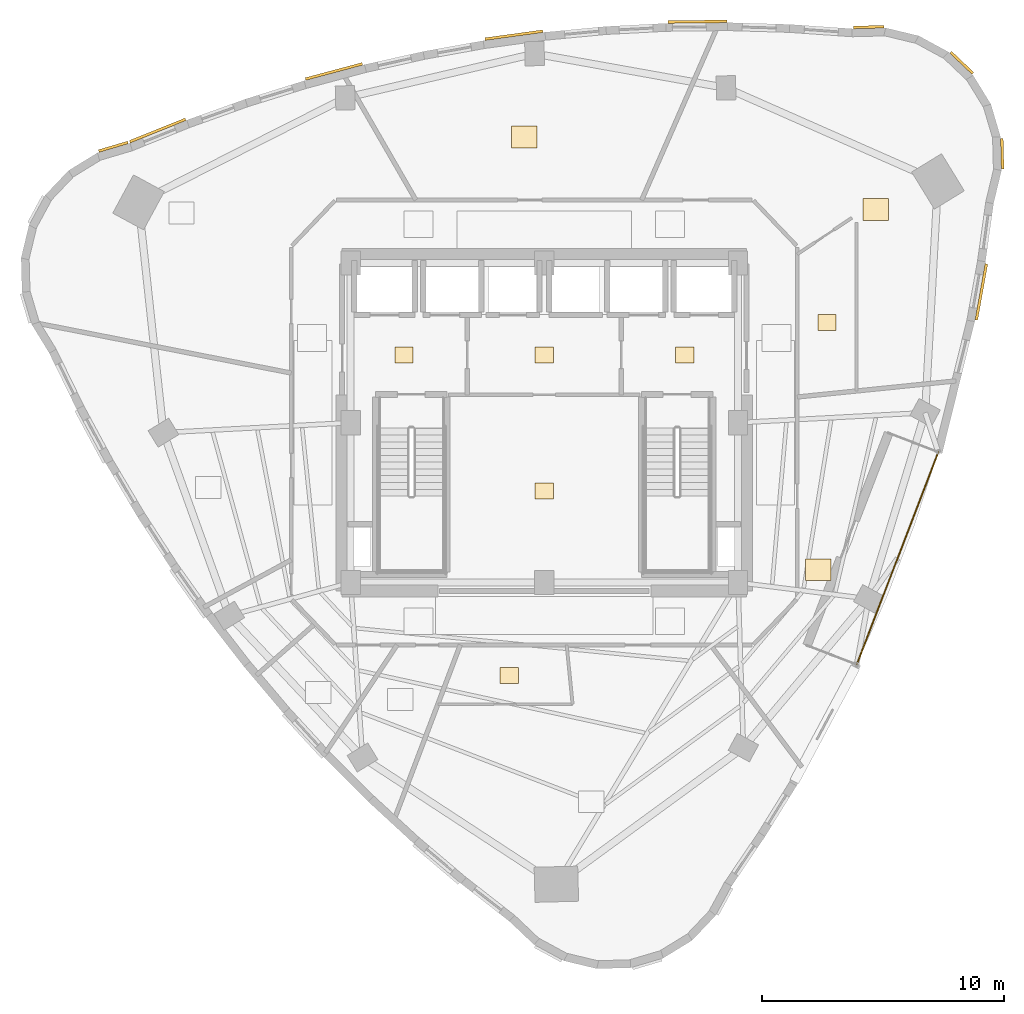
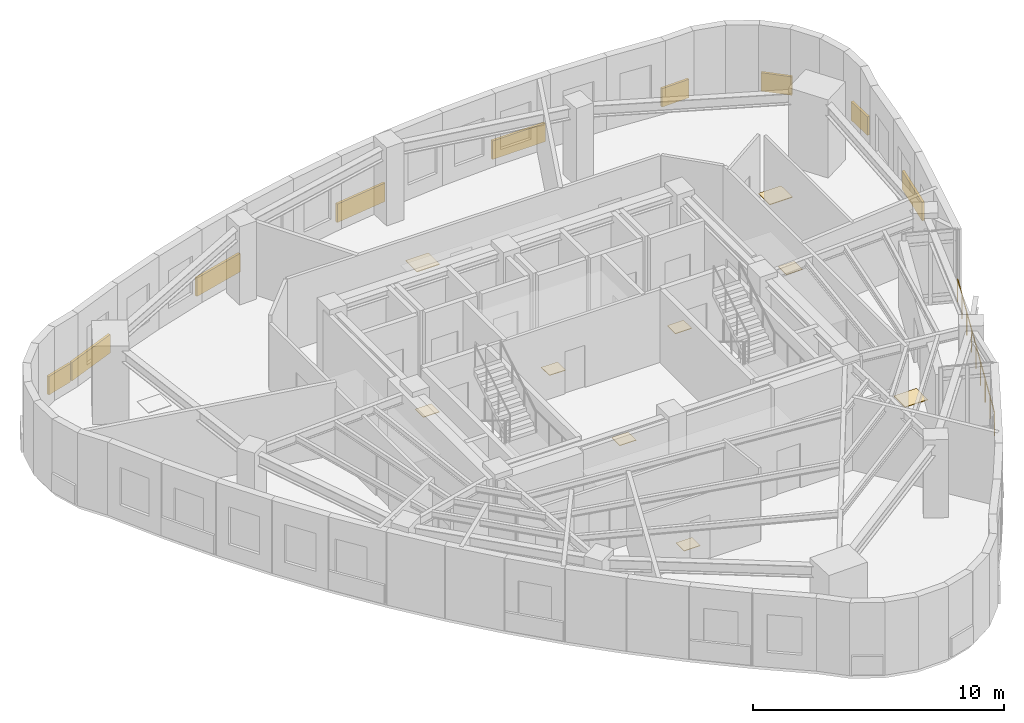
# One storey, part 10 of 10: 18 coverings, 1 railing.
"""IFC4 building model written with IfcOpenShell, lengths in metres."""

from ifc_helpers import new_model, si_unit, direction, frame, origin, origin_2d, place, context, subcontext, project, spatial, rectangle, circle, extrude, material, layer, layer_set, type_object, element, save


model = new_model("IFC4")

# Units and contexts
model_context = context("Model", 3, precision=1e-05, world=origin(), true_north=direction((0.0, 1.0)))
body_context = subcontext(model_context, "Body", "Model", "MODEL_VIEW")
ifc_project = project(units=[si_unit("LENGTHUNIT", "METRE"), si_unit("AREAUNIT", "SQUARE_METRE"), si_unit("VOLUMEUNIT", "CUBIC_METRE"), si_unit("PLANEANGLEUNIT", "RADIAN"), si_unit("MASSUNIT", "GRAM", prefix="KILO")], contexts=[model_context])

# Site, building, storey
site_placement = place(None, origin())
site = spatial("IfcSite", under=ifc_project, at=site_placement, CompositionType="ELEMENT")
building_placement = place(site_placement, origin())
building = spatial("IfcBuilding", under=site, at=building_placement, Name="Ndelora Gate Hotel", CompositionType="ELEMENT")
storey_placement = place(building_placement, frame((0.0, 0.0, 239.75)))
storey = spatial("IfcBuildingStorey", under=building, at=storey_placement, Name="L60", CompositionType="ELEMENT", Elevation=239.75)

# Coverings
ifc_material_1 = material(Name="Terracotta Fired Clay Brick Slip Cladding", Category="masonry")
ifc_layer_1 = layer(ifc_material_1, 0.110107421875)
ifc_layer_set_1 = layer_set([ifc_layer_1], Name="Terracotta Fired Clay Brick Slip Cladding")
covering_type_1 = type_object("IfcCoveringType", Name="COV-CLAD-BRK", PredefinedType="CLADDING", material=ifc_layer_set_1)
covering_1_placement = place(storey_placement, frame((-17.797119140625, 11.3984375, 0.10009765625), z_axis=(0.0, 0.0, 1.0), x_axis=(0.958819734868, 0.284015344704, 0.0)))
element("IfcCovering", 1, at=covering_1_placement, inside=storey, type_object=covering_type_1, Name="L60 Rounded-Corner Brick Cladding Band 1", PredefinedType="CLADDING", context=body_context, shape_type="SweptSolid", body=[
    extrude(rectangle(XDim=1.257080078125, YDim=0.110107421875, at=origin_2d()), origin(), (0.0, 0.0, 1.0), 0.89990234375),
])
covering_2_placement = place(storey_placement, frame((18.0537109375, 5.40087890625, 0.10009765625), z_axis=(0.0, 0.0, 1.0), x_axis=(0.176569392453, 0.984288194407, 0.0)))
element("IfcCovering", 2, at=covering_2_placement, inside=storey, type_object=covering_type_1, Name="L60 Rounded-Corner Brick Cladding Band 37", PredefinedType="CLADDING", context=body_context, shape_type="SweptSolid", body=[
    extrude(rectangle(XDim=2.35888671875, YDim=0.110107421875, at=origin_2d()), origin(), (0.0, 0.0, 1.0), 0.89990234375),
])
covering_3_placement = place(storey_placement, frame((18.91650390625, 11.108642578125, 0.10009765625), z_axis=(0.0, 0.0, 1.0), x_axis=(-0.026176948308, 0.999657324976, 0.0)))
element("IfcCovering", 3, at=covering_3_placement, inside=storey, type_object=covering_type_1, Name="L60 Rounded-Corner Brick Cladding Band 40", PredefinedType="CLADDING", context=body_context, shape_type="SweptSolid", body=[
    extrude(rectangle(XDim=1.257080078125, YDim=0.110107421875, at=origin_2d()), origin(), (0.0, 0.0, 1.0), 0.89990234375),
])
covering_4_placement = place(storey_placement, frame((17.24365234375, 14.8662109375, 0.10009765625), z_axis=(0.0, 0.0, 1.0), x_axis=(-0.725374371012, 0.688354575694, 0.0)))
element("IfcCovering", 4, at=covering_4_placement, inside=storey, type_object=covering_type_1, Name="L60 Rounded-Corner Brick Cladding Band 43", PredefinedType="CLADDING", context=body_context, shape_type="SweptSolid", body=[
    extrude(rectangle(XDim=1.258056640625, YDim=0.110107421875, at=origin_2d()), origin(), (0.0, 0.0, 1.0), 0.89990234375),
])
covering_5_placement = place(storey_placement, frame((13.40380859375, 16.340087890625, 0.10009765625), z_axis=(0.0, 0.0, 1.0), x_axis=(0.999657324976, 0.026176948308, 0.0)))
element("IfcCovering", 5, at=covering_5_placement, inside=storey, type_object=covering_type_1, Name="L60 Rounded-Corner Brick Cladding Band 46", PredefinedType="CLADDING", context=body_context, shape_type="SweptSolid", body=[
    extrude(rectangle(XDim=1.257080078125, YDim=0.110107421875, at=origin_2d()), origin(), (0.0, 0.0, 1.0), 0.89990234375),
])
covering_6_placement = place(storey_placement, frame((6.322998046875, 16.563720703125, 0.10009765625), z_axis=(0.0, 0.0, 1.0), x_axis=(0.999937615001, 0.011169874929, 0.0)))
element("IfcCovering", 6, at=covering_6_placement, inside=storey, type_object=covering_type_1, Name="L60 Rounded-Corner Brick Cladding Band 49", PredefinedType="CLADDING", context=body_context, shape_type="SweptSolid", body=[
    extrude(rectangle(XDim=2.443115234375, YDim=0.110107421875, at=origin_2d()), origin(), (0.0, 0.0, 1.0), 0.89990234375),
])
covering_7_placement = place(storey_placement, frame((-1.257080078125, 16.006591796875, 0.10009765625), z_axis=(0.0, 0.0, 1.0), x_axis=(0.990747840471, 0.135715572434, 0.0)))
element("IfcCovering", 7, at=covering_7_placement, inside=storey, type_object=covering_type_1, Name="L60 Rounded-Corner Brick Cladding Band 52", PredefinedType="CLADDING", context=body_context, shape_type="SweptSolid", body=[
    extrude(rectangle(XDim=2.416015625, YDim=0.110107421875, at=origin_2d()), origin(), (0.0, 0.0, 1.0), 0.89990234375),
])
covering_8_placement = place(storey_placement, frame((-8.688232421875, 14.5078125, 0.10009765625), z_axis=(0.0, 0.0, 1.0), x_axis=(0.965970984022, 0.258650455301, 0.0)))
element("IfcCovering", 8, at=covering_8_placement, inside=storey, type_object=covering_type_1, Name="L60 Rounded-Corner Brick Cladding Band 55", PredefinedType="CLADDING", context=body_context, shape_type="SweptSolid", body=[
    extrude(rectangle(XDim=2.428955078125, YDim=0.110107421875, at=origin_2d()), origin(), (0.0, 0.0, 1.0), 0.89990234375),
])
covering_9_placement = place(storey_placement, frame((-15.968994140625, 12.067626953125, 0.10009765625), z_axis=(0.0, 0.0, 1.0), x_axis=(0.927249221629, 0.374444763601, 0.0)))
element("IfcCovering", 9, at=covering_9_placement, inside=storey, type_object=covering_type_1, Name="L60 Rounded-Corner Brick Cladding Band 58", PredefinedType="CLADDING", context=body_context, shape_type="SweptSolid", body=[
    extrude(rectangle(XDim=2.48193359375, YDim=0.110107421875, at=origin_2d()), origin(), (0.0, 0.0, 1.0), 0.89990234375),
])
ifc_material_2 = material(Name="Engineered Highland Oak Parquet", Category="wood")
ifc_layer_2 = layer(ifc_material_2, 0.030029296875)
ifc_layer_set_2 = layer_set([ifc_layer_2], Name="Engineered Highland Oak Parquet")
covering_type_2 = type_object("IfcCoveringType", Name="COV-FLR-PARQ", PredefinedType="FLOORING", material=ifc_layer_set_2)
for number, where, z_axis, x_axis, name in (
    (10, (11.322021484375, -6.072265625, 0.0), (0.0, 0.0, 1.0), (1.0, 0.0, 0.0), "L60 Sky Garden Tea Dining Room Oak Parquet Flooring"),
    (11, (13.683349609375, 8.806884765625, 0.0), (0.0, 0.0, 1.0), (1.0, 0.0, 0.0), "L60 Corner Diplomatic Two-Bay Suite 6302 Oak Parquet Flooring"),
    (12, (-0.82080078125, 11.80078125, 0.0), (0.0, 0.0, 1.0), (1.0, 0.0, 0.0), "L60 Private Collectors Art Library Oak Parquet Flooring"),
):
    element("IfcCovering", number, at=place(storey_placement, frame(where, z_axis=z_axis, x_axis=x_axis)), inside=storey, type_object=covering_type_2, Name=name, PredefinedType="FLOORING", context=body_context, shape_type="SweptSolid", body=[
        extrude(rectangle(XDim=1.050048828125, YDim=0.89990234375, at=origin_2d()), origin(), (0.0, 0.0, 1.0), 0.030029296875),
    ])
ifc_material_3 = material(Name="Non-Slip Porcelain Wet-Room Tile", Category="ceramic")
ifc_layer_3 = layer(ifc_material_3, 0.02490234375)
ifc_layer_set_3 = layer_set([ifc_layer_3], Name="Non-Slip Porcelain Wet-Room Tile")
covering_type_3 = type_object("IfcCoveringType", Name="COV-FLR-TILE", PredefinedType="FLOORING", material=ifc_layer_set_3)
for number, where, z_axis, x_axis, name in (
    (13, (-5.800048828125, 2.800048828125, 0.0), (0.0, 0.0, 1.0), (1.0, 0.0, 0.0), "L60 Firefighting Lift Lobby West Porcelain Tile Flooring"),
    (14, (5.800048828125, 2.800048828125, 0.0), (0.0, 0.0, 1.0), (1.0, 0.0, 0.0), "L60 Firefighting Lift Lobby East Porcelain Tile Flooring"),
    (15, (0.0, 2.800048828125, 0.0), (0.0, 0.0, 1.0), (1.0, 0.0, 0.0), "L60 Central Passenger Lift Lobby Porcelain Tile Flooring"),
    (16, (0.0, -2.824951171875, 0.0), (0.0, 0.0, 1.0), (1.0, 0.0, 0.0), "L60 Core Electrical and Linen Service Store Porcelain Tile Flooring"),
    (17, (-1.447998046875, -10.4462890625, 0.0), (0.0, 0.0, 1.0), (1.0, 0.0, 0.0), "L60 En-suite Bathroom 6301 Porcelain Tile Flooring"),
    (18, (11.675048828125, 4.14208984375, 0.0), (0.0, 0.0, 1.0), (1.0, 0.0, 0.0), "L60 En-suite Bathroom 6302 Porcelain Tile Flooring"),
):
    element("IfcCovering", number, at=place(storey_placement, frame(where, z_axis=z_axis, x_axis=x_axis)), inside=storey, type_object=covering_type_3, Name=name, PredefinedType="FLOORING", context=body_context, shape_type="SweptSolid", body=[
        extrude(rectangle(XDim=0.75, YDim=0.64990234375, at=origin_2d()), origin(), (0.0, 0.0, 1.0), 0.02490234375),
    ])

# Railing
ifc_material_4 = material(Name="Laminated Safety Glass and Bronze Top Rail", Category="glass")
ifc_layer_4 = layer(ifc_material_4, 0.070068359375)
ifc_layer_set_4 = layer_set([ifc_layer_4], Name="Laminated Safety Glass and Bronze Top Rail")
railing_type = type_object("IfcRailingType", Name="RL-BAL-1150", PredefinedType="BALUSTRADE", material=ifc_layer_set_4)
railing_placement = place(storey_placement, frame((12.907470703125, -9.989013671875, 0.0)))
element("IfcRailing", 19, at=railing_placement, inside=storey, type_object=railing_type, Name="L60 Sky-Garden Loggia Terrace Balustrade", PredefinedType="BALUSTRADE", context=body_context, shape_type="SweptSolid", body=[
    extrude(circle(Radius=0.02392578125, at=origin_2d()), frame((0.0, 0.0, 1.1357421875), z_axis=(0.358368113904, 0.933580363406, 0.0), x_axis=(-0.933580363406, 0.358368113904, 0.0)), (0.0, 0.0, 1.0), 9.39990234375),
    extrude(circle(Radius=0.02099609375, at=origin_2d()), origin(), (0.0, 0.0, 1.0), 1.11181640625),
    extrude(circle(Radius=0.02099609375, at=origin_2d()), frame((0.421142578125, 1.096923828125, 0.0)), (0.0, 0.0, 1.0), 1.11181640625),
    extrude(circle(Radius=0.02099609375, at=origin_2d()), frame((0.84228515625, 2.19384765625, 0.0)), (0.0, 0.0, 1.0), 1.11181640625),
    extrude(circle(Radius=0.02099609375, at=origin_2d()), frame((1.26318359375, 3.290771484375, 0.0)), (0.0, 0.0, 1.0), 1.11181640625),
    extrude(circle(Radius=0.02099609375, at=origin_2d()), frame((1.684326171875, 4.3876953125, 0.0)), (0.0, 0.0, 1.0), 1.11181640625),
    extrude(circle(Radius=0.02099609375, at=origin_2d()), frame((2.10546875, 5.48486328125, 0.0)), (0.0, 0.0, 1.0), 1.11181640625),
    extrude(circle(Radius=0.02099609375, at=origin_2d()), frame((2.5263671875, 6.581787109375, 0.0)), (0.0, 0.0, 1.0), 1.11181640625),
    extrude(circle(Radius=0.02099609375, at=origin_2d()), frame((2.947509765625, 7.6787109375, 0.0)), (0.0, 0.0, 1.0), 1.11181640625),
    extrude(circle(Radius=0.02099609375, at=origin_2d()), frame((3.36865234375, 8.775634765625, 0.0)), (0.0, 0.0, 1.0), 1.11181640625),
])

save(model, "model.ifc")
